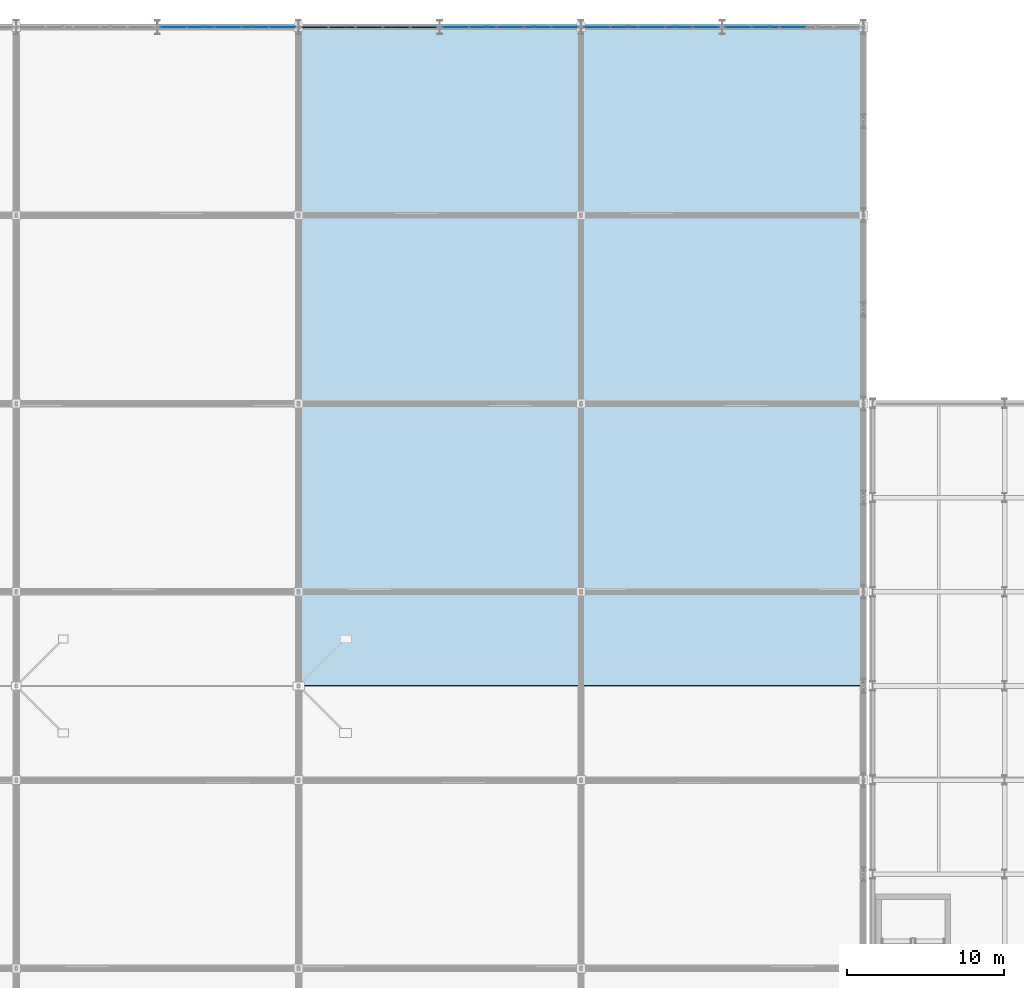
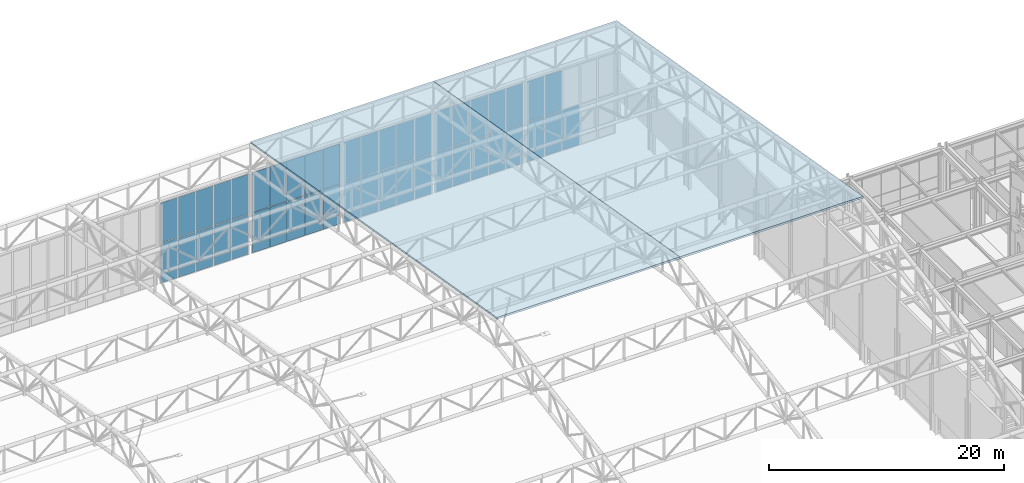
# One storey, part 189 of 239: 68 plates, 2 slabs, 6 elements without a shape of their own.
"""IFC4 building model written with IfcOpenShell, lengths in metres."""

from ifc_helpers import new_model, si_unit, direction, frame, origin, origin_2d, place, context, subcontext, project, spatial, polyline, rectangle, outline, extrude, material, layer, layer_set, type_object, element, aggregate, save


model = new_model("IFC4")

# Units and contexts
model_context = context("Model", 3, precision=1e-05, world=origin(), true_north=direction((0.0, 1.0)))
body_context = subcontext(model_context, "Body", "Model", "MODEL_VIEW")
ifc_project = project(units=[si_unit("LENGTHUNIT", "METRE"), si_unit("AREAUNIT", "SQUARE_METRE"), si_unit("VOLUMEUNIT", "CUBIC_METRE"), si_unit("PLANEANGLEUNIT", "RADIAN"), si_unit("MASSUNIT", "GRAM", prefix="KILO")], contexts=[model_context])

# Site, building, storey
site_placement = place(None, origin())
site = spatial("IfcSite", under=ifc_project, at=site_placement, CompositionType="ELEMENT")
building_placement = place(site_placement, origin())
building = spatial("IfcBuilding", under=site, at=building_placement, Name="Kaldris Quays Convention Centre", CompositionType="ELEMENT")
storey_placement = place(building_placement, frame((0.0, 0.0, 11.39990234375)))
storey = spatial("IfcBuildingStorey", under=building, at=storey_placement, Name="L02", CompositionType="ELEMENT", Elevation=11.39990234375)

# Curtain wall, plates
ifc_material_1 = material(Name="Anodized aluminium AW-6060 and triple glazing", Category="aluminium")
curtain_wall_type = type_object("IfcCurtainWallType", Name="UNITISED CURTAIN WALL CW03", PredefinedType="NOTDEFINED", material=ifc_material_1)
curtain_wall_1_placement = place(storey_placement, origin())
curtain_wall_1 = element("IfcCurtainWall", 1, at=curtain_wall_1_placement, inside=storey, type_object=curtain_wall_type, Name="L02 Unitised Curtain Wall CW03 250", PredefinedType="NOTDEFINED")
ifc_material_2 = material(Name="Triple low-E insulated glazing", Category="glass")
plate_type_1 = type_object("IfcPlateType", Name="CURTAIN GLAZING PANEL CWP2", PredefinedType="CURTAIN_PANEL", material=ifc_material_2)
plate_1_placement = place(storey_placement, frame((120.027099609375, 140.0, -1.544921875), z_axis=(0.0, 0.0, 1.0), x_axis=(1.0, 0.0, 0.0)))
plate_1 = element("IfcPlate", 2, at=plate_1_placement, type_object=plate_type_1, Name="CW03 panel 1.1", PredefinedType="CURTAIN_PANEL", context=body_context, shape_type="SweptSolid", body=[
    extrude(rectangle(XDim=1.654052734375, YDim=0.033935546875, at=origin_2d()), origin(), (0.0, 0.0, 1.0), 0.9599609375),
])
plate_2_placement = place(storey_placement, frame((120.027099609375, 140.0, -0.52490234375), z_axis=(0.0, 0.0, 1.0), x_axis=(1.0, 0.0, 0.0)))
plate_2 = element("IfcPlate", 3, at=plate_2_placement, type_object=plate_type_1, Name="CW03 panel 1.2", PredefinedType="CURTAIN_PANEL", context=body_context, shape_type="SweptSolid", body=[
    extrude(rectangle(XDim=1.654052734375, YDim=0.033935546875, at=origin_2d()), origin(), (0.0, 0.0, 1.0), 3.117919921875),
])
plate_3_placement = place(storey_placement, frame((120.027099609375, 140.0, 2.6533203125), z_axis=(0.0, 0.0, 1.0), x_axis=(1.0, 0.0, 0.0)))
plate_3 = element("IfcPlate", 4, at=plate_3_placement, type_object=plate_type_1, Name="CW03 panel 1.3", PredefinedType="CURTAIN_PANEL", context=body_context, shape_type="SweptSolid", body=[
    extrude(rectangle(XDim=1.654052734375, YDim=0.033935546875, at=origin_2d()), origin(), (0.0, 0.0, 1.0), 4.136962890625),
])
plate_4_placement = place(storey_placement, frame((121.756103515625, 140.0, -1.544921875), z_axis=(0.0, 0.0, 1.0), x_axis=(1.0, 0.0, 0.0)))
plate_4 = element("IfcPlate", 5, at=plate_4_placement, type_object=plate_type_1, Name="CW03 panel 2.1", PredefinedType="CURTAIN_PANEL", context=body_context, shape_type="SweptSolid", body=[
    extrude(rectangle(XDim=1.68408203125, YDim=0.033935546875, at=origin_2d()), origin(), (0.0, 0.0, 1.0), 0.9599609375),
])
plate_5_placement = place(storey_placement, frame((121.756103515625, 140.0, -0.52490234375), z_axis=(0.0, 0.0, 1.0), x_axis=(1.0, 0.0, 0.0)))
plate_5 = element("IfcPlate", 6, at=plate_5_placement, type_object=plate_type_1, Name="CW03 panel 2.2", PredefinedType="CURTAIN_PANEL", context=body_context, shape_type="SweptSolid", body=[
    extrude(rectangle(XDim=1.68408203125, YDim=0.033935546875, at=origin_2d()), origin(), (0.0, 0.0, 1.0), 3.117919921875),
])
plate_6_placement = place(storey_placement, frame((121.756103515625, 140.0, 2.6533203125), z_axis=(0.0, 0.0, 1.0), x_axis=(1.0, 0.0, 0.0)))
plate_6 = element("IfcPlate", 7, at=plate_6_placement, type_object=plate_type_1, Name="CW03 panel 2.3", PredefinedType="CURTAIN_PANEL", context=body_context, shape_type="SweptSolid", body=[
    extrude(rectangle(XDim=1.68408203125, YDim=0.033935546875, at=origin_2d()), origin(), (0.0, 0.0, 1.0), 4.136962890625),
])
plate_7_placement = place(storey_placement, frame((123.5, 140.0, -1.544921875), z_axis=(0.0, 0.0, 1.0), x_axis=(1.0, 0.0, 0.0)))
plate_7 = element("IfcPlate", 8, at=plate_7_placement, type_object=plate_type_1, Name="CW03 panel 3.1", PredefinedType="CURTAIN_PANEL", context=body_context, shape_type="SweptSolid", body=[
    extrude(rectangle(XDim=1.68408203125, YDim=0.033935546875, at=origin_2d()), origin(), (0.0, 0.0, 1.0), 0.9599609375),
])
plate_8_placement = place(storey_placement, frame((123.5, 140.0, -0.52490234375), z_axis=(0.0, 0.0, 1.0), x_axis=(1.0, 0.0, 0.0)))
plate_8 = element("IfcPlate", 9, at=plate_8_placement, type_object=plate_type_1, Name="CW03 panel 3.2", PredefinedType="CURTAIN_PANEL", context=body_context, shape_type="SweptSolid", body=[
    extrude(rectangle(XDim=1.68408203125, YDim=0.033935546875, at=origin_2d()), origin(), (0.0, 0.0, 1.0), 3.117919921875),
])
plate_9_placement = place(storey_placement, frame((123.5, 140.0, 2.6533203125), z_axis=(0.0, 0.0, 1.0), x_axis=(1.0, 0.0, 0.0)))
plate_9 = element("IfcPlate", 10, at=plate_9_placement, type_object=plate_type_1, Name="CW03 panel 3.3", PredefinedType="CURTAIN_PANEL", context=body_context, shape_type="SweptSolid", body=[
    extrude(rectangle(XDim=1.68408203125, YDim=0.033935546875, at=origin_2d()), origin(), (0.0, 0.0, 1.0), 4.136962890625),
])
plate_10_placement = place(storey_placement, frame((125.243896484375, 140.0, -1.544921875), z_axis=(0.0, 0.0, 1.0), x_axis=(1.0, 0.0, 0.0)))
plate_10 = element("IfcPlate", 11, at=plate_10_placement, type_object=plate_type_1, Name="CW03 panel 4.1", PredefinedType="CURTAIN_PANEL", context=body_context, shape_type="SweptSolid", body=[
    extrude(rectangle(XDim=1.68408203125, YDim=0.033935546875, at=origin_2d()), origin(), (0.0, 0.0, 1.0), 0.9599609375),
])
plate_11_placement = place(storey_placement, frame((125.243896484375, 140.0, -0.52490234375), z_axis=(0.0, 0.0, 1.0), x_axis=(1.0, 0.0, 0.0)))
plate_11 = element("IfcPlate", 12, at=plate_11_placement, type_object=plate_type_1, Name="CW03 panel 4.2", PredefinedType="CURTAIN_PANEL", context=body_context, shape_type="SweptSolid", body=[
    extrude(rectangle(XDim=1.68408203125, YDim=0.033935546875, at=origin_2d()), origin(), (0.0, 0.0, 1.0), 3.117919921875),
])
plate_12_placement = place(storey_placement, frame((125.243896484375, 140.0, 2.6533203125), z_axis=(0.0, 0.0, 1.0), x_axis=(1.0, 0.0, 0.0)))
plate_12 = element("IfcPlate", 13, at=plate_12_placement, type_object=plate_type_1, Name="CW03 panel 4.3", PredefinedType="CURTAIN_PANEL", context=body_context, shape_type="SweptSolid", body=[
    extrude(rectangle(XDim=1.68408203125, YDim=0.033935546875, at=origin_2d()), origin(), (0.0, 0.0, 1.0), 4.136962890625),
])
plate_13_placement = place(storey_placement, frame((126.972900390625, 140.0, -1.544921875), z_axis=(0.0, 0.0, 1.0), x_axis=(1.0, 0.0, 0.0)))
plate_13 = element("IfcPlate", 14, at=plate_13_placement, type_object=plate_type_1, Name="CW03 panel 5.1", PredefinedType="CURTAIN_PANEL", context=body_context, shape_type="SweptSolid", body=[
    extrude(rectangle(XDim=1.654052734375, YDim=0.033935546875, at=origin_2d()), origin(), (0.0, 0.0, 1.0), 0.9599609375),
])
plate_14_placement = place(storey_placement, frame((126.972900390625, 140.0, -0.52490234375), z_axis=(0.0, 0.0, 1.0), x_axis=(1.0, 0.0, 0.0)))
plate_14 = element("IfcPlate", 15, at=plate_14_placement, type_object=plate_type_1, Name="CW03 panel 5.2", PredefinedType="CURTAIN_PANEL", context=body_context, shape_type="SweptSolid", body=[
    extrude(rectangle(XDim=1.654052734375, YDim=0.033935546875, at=origin_2d()), origin(), (0.0, 0.0, 1.0), 3.117919921875),
])
plate_15_placement = place(storey_placement, frame((126.972900390625, 140.0, 2.6533203125), z_axis=(0.0, 0.0, 1.0), x_axis=(1.0, 0.0, 0.0)))
plate_15 = element("IfcPlate", 16, at=plate_15_placement, type_object=plate_type_1, Name="CW03 panel 5.3", PredefinedType="CURTAIN_PANEL", context=body_context, shape_type="SweptSolid", body=[
    extrude(rectangle(XDim=1.654052734375, YDim=0.033935546875, at=origin_2d()), origin(), (0.0, 0.0, 1.0), 4.136962890625),
])
aggregate(curtain_wall_1, [plate_1, plate_2, plate_3, plate_4, plate_5, plate_6, plate_7, plate_8, plate_9, plate_10, plate_11, plate_12, plate_13, plate_14, plate_15])

curtain_wall_2_placement = place(storey_placement, origin())
curtain_wall_2 = element("IfcCurtainWall", 17, at=curtain_wall_2_placement, inside=storey, type_object=curtain_wall_type, Name="L02 Unitised Curtain Wall CW03 252", PredefinedType="NOTDEFINED")
plate_type_2 = type_object("IfcPlateType", Name="CURTAIN GLAZING PANEL CWP4", PredefinedType="CURTAIN_PANEL", material=ifc_material_2)
plate_16_placement = place(storey_placement, frame((129.027099609375, 140.0, -1.544921875), z_axis=(0.0, 0.0, 1.0), x_axis=(1.0, 0.0, 0.0)))
plate_16 = element("IfcPlate", 18, at=plate_16_placement, type_object=plate_type_2, Name="CW03 panel 1.1", PredefinedType="CURTAIN_PANEL", context=body_context, shape_type="SweptSolid", body=[
    extrude(rectangle(XDim=1.654052734375, YDim=0.0439453125, at=origin_2d()), origin(), (0.0, 0.0, 1.0), 0.9599609375),
])
plate_17_placement = place(storey_placement, frame((129.027099609375, 140.0, -0.52490234375), z_axis=(0.0, 0.0, 1.0), x_axis=(1.0, 0.0, 0.0)))
plate_17 = element("IfcPlate", 19, at=plate_17_placement, type_object=plate_type_2, Name="CW03 panel 1.2", PredefinedType="CURTAIN_PANEL", context=body_context, shape_type="SweptSolid", body=[
    extrude(rectangle(XDim=1.654052734375, YDim=0.0439453125, at=origin_2d()), origin(), (0.0, 0.0, 1.0), 3.117919921875),
])
plate_18_placement = place(storey_placement, frame((129.027099609375, 140.0, 2.6533203125), z_axis=(0.0, 0.0, 1.0), x_axis=(1.0, 0.0, 0.0)))
plate_18 = element("IfcPlate", 20, at=plate_18_placement, type_object=plate_type_2, Name="CW03 panel 1.3", PredefinedType="CURTAIN_PANEL", context=body_context, shape_type="SweptSolid", body=[
    extrude(rectangle(XDim=1.654052734375, YDim=0.0439453125, at=origin_2d()), origin(), (0.0, 0.0, 1.0), 4.136962890625),
])
plate_19_placement = place(storey_placement, frame((130.756103515625, 140.0, -1.544921875), z_axis=(0.0, 0.0, 1.0), x_axis=(1.0, 0.0, 0.0)))
plate_19 = element("IfcPlate", 21, at=plate_19_placement, type_object=plate_type_2, Name="CW03 panel 2.1", PredefinedType="CURTAIN_PANEL", context=body_context, shape_type="SweptSolid", body=[
    extrude(rectangle(XDim=1.68408203125, YDim=0.0439453125, at=origin_2d()), origin(), (0.0, 0.0, 1.0), 0.9599609375),
])
plate_20_placement = place(storey_placement, frame((130.756103515625, 140.0, -0.52490234375), z_axis=(0.0, 0.0, 1.0), x_axis=(1.0, 0.0, 0.0)))
plate_20 = element("IfcPlate", 22, at=plate_20_placement, type_object=plate_type_2, Name="CW03 panel 2.2", PredefinedType="CURTAIN_PANEL", context=body_context, shape_type="SweptSolid", body=[
    extrude(rectangle(XDim=1.68408203125, YDim=0.0439453125, at=origin_2d()), origin(), (0.0, 0.0, 1.0), 3.117919921875),
])
plate_21_placement = place(storey_placement, frame((130.756103515625, 140.0, 2.6533203125), z_axis=(0.0, 0.0, 1.0), x_axis=(1.0, 0.0, 0.0)))
plate_21 = element("IfcPlate", 23, at=plate_21_placement, type_object=plate_type_2, Name="CW03 panel 2.3", PredefinedType="CURTAIN_PANEL", context=body_context, shape_type="SweptSolid", body=[
    extrude(rectangle(XDim=1.68408203125, YDim=0.0439453125, at=origin_2d()), origin(), (0.0, 0.0, 1.0), 4.136962890625),
])
plate_22_placement = place(storey_placement, frame((132.5, 140.0, -1.544921875), z_axis=(0.0, 0.0, 1.0), x_axis=(1.0, 0.0, 0.0)))
plate_22 = element("IfcPlate", 24, at=plate_22_placement, type_object=plate_type_2, Name="CW03 panel 3.1", PredefinedType="CURTAIN_PANEL", context=body_context, shape_type="SweptSolid", body=[
    extrude(rectangle(XDim=1.68408203125, YDim=0.0439453125, at=origin_2d()), origin(), (0.0, 0.0, 1.0), 0.9599609375),
])
plate_23_placement = place(storey_placement, frame((132.5, 140.0, -0.52490234375), z_axis=(0.0, 0.0, 1.0), x_axis=(1.0, 0.0, 0.0)))
plate_23 = element("IfcPlate", 25, at=plate_23_placement, type_object=plate_type_2, Name="CW03 panel 3.2", PredefinedType="CURTAIN_PANEL", context=body_context, shape_type="SweptSolid", body=[
    extrude(rectangle(XDim=1.68408203125, YDim=0.0439453125, at=origin_2d()), origin(), (0.0, 0.0, 1.0), 3.117919921875),
])
plate_24_placement = place(storey_placement, frame((132.5, 140.0, 2.6533203125), z_axis=(0.0, 0.0, 1.0), x_axis=(1.0, 0.0, 0.0)))
plate_24 = element("IfcPlate", 26, at=plate_24_placement, type_object=plate_type_2, Name="CW03 panel 3.3", PredefinedType="CURTAIN_PANEL", context=body_context, shape_type="SweptSolid", body=[
    extrude(rectangle(XDim=1.68408203125, YDim=0.0439453125, at=origin_2d()), origin(), (0.0, 0.0, 1.0), 4.136962890625),
])
plate_25_placement = place(storey_placement, frame((134.243896484375, 140.0, -1.544921875), z_axis=(0.0, 0.0, 1.0), x_axis=(1.0, 0.0, 0.0)))
plate_25 = element("IfcPlate", 27, at=plate_25_placement, type_object=plate_type_2, Name="CW03 panel 4.1", PredefinedType="CURTAIN_PANEL", context=body_context, shape_type="SweptSolid", body=[
    extrude(rectangle(XDim=1.68408203125, YDim=0.0439453125, at=origin_2d()), origin(), (0.0, 0.0, 1.0), 0.9599609375),
])
plate_26_placement = place(storey_placement, frame((134.243896484375, 140.0, -0.52490234375), z_axis=(0.0, 0.0, 1.0), x_axis=(1.0, 0.0, 0.0)))
plate_26 = element("IfcPlate", 28, at=plate_26_placement, type_object=plate_type_2, Name="CW03 panel 4.2", PredefinedType="CURTAIN_PANEL", context=body_context, shape_type="SweptSolid", body=[
    extrude(rectangle(XDim=1.68408203125, YDim=0.0439453125, at=origin_2d()), origin(), (0.0, 0.0, 1.0), 3.117919921875),
])
plate_27_placement = place(storey_placement, frame((134.243896484375, 140.0, 2.6533203125), z_axis=(0.0, 0.0, 1.0), x_axis=(1.0, 0.0, 0.0)))
plate_27 = element("IfcPlate", 29, at=plate_27_placement, type_object=plate_type_2, Name="CW03 panel 4.3", PredefinedType="CURTAIN_PANEL", context=body_context, shape_type="SweptSolid", body=[
    extrude(rectangle(XDim=1.68408203125, YDim=0.0439453125, at=origin_2d()), origin(), (0.0, 0.0, 1.0), 4.136962890625),
])
plate_28_placement = place(storey_placement, frame((135.972900390625, 140.0, -1.544921875), z_axis=(0.0, 0.0, 1.0), x_axis=(1.0, 0.0, 0.0)))
plate_28 = element("IfcPlate", 30, at=plate_28_placement, type_object=plate_type_2, Name="CW03 panel 5.1", PredefinedType="CURTAIN_PANEL", context=body_context, shape_type="SweptSolid", body=[
    extrude(rectangle(XDim=1.654052734375, YDim=0.0439453125, at=origin_2d()), origin(), (0.0, 0.0, 1.0), 0.9599609375),
])
plate_29_placement = place(storey_placement, frame((135.972900390625, 140.0, -0.52490234375), z_axis=(0.0, 0.0, 1.0), x_axis=(1.0, 0.0, 0.0)))
plate_29 = element("IfcPlate", 31, at=plate_29_placement, type_object=plate_type_2, Name="CW03 panel 5.2", PredefinedType="CURTAIN_PANEL", context=body_context, shape_type="SweptSolid", body=[
    extrude(rectangle(XDim=1.654052734375, YDim=0.0439453125, at=origin_2d()), origin(), (0.0, 0.0, 1.0), 3.117919921875),
])
plate_30_placement = place(storey_placement, frame((135.972900390625, 140.0, 2.6533203125), z_axis=(0.0, 0.0, 1.0), x_axis=(1.0, 0.0, 0.0)))
plate_30 = element("IfcPlate", 32, at=plate_30_placement, type_object=plate_type_2, Name="CW03 panel 5.3", PredefinedType="CURTAIN_PANEL", context=body_context, shape_type="SweptSolid", body=[
    extrude(rectangle(XDim=1.654052734375, YDim=0.0439453125, at=origin_2d()), origin(), (0.0, 0.0, 1.0), 4.136962890625),
])
aggregate(curtain_wall_2, [plate_16, plate_17, plate_18, plate_19, plate_20, plate_21, plate_22, plate_23, plate_24, plate_25, plate_26, plate_27, plate_28, plate_29, plate_30])

curtain_wall_3_placement = place(storey_placement, origin())
curtain_wall_3 = element("IfcCurtainWall", 33, at=curtain_wall_3_placement, inside=storey, type_object=curtain_wall_type, Name="L02 Unitised Curtain Wall CW03 246", PredefinedType="NOTDEFINED")
plate_type_3 = type_object("IfcPlateType", Name="CURTAIN GLAZING PANEL CWP6", PredefinedType="CURTAIN_PANEL", material=ifc_material_2)
plate_31_placement = place(storey_placement, frame((102.027099609375, 140.0, -1.544921875), z_axis=(0.0, 0.0, 1.0), x_axis=(1.0, 0.0, 0.0)))
plate_31 = element("IfcPlate", 34, at=plate_31_placement, type_object=plate_type_3, Name="CW03 panel 1.1", PredefinedType="CURTAIN_PANEL", context=body_context, shape_type="SweptSolid", body=[
    extrude(rectangle(XDim=1.654052734375, YDim=0.053955078125, at=origin_2d()), origin(), (0.0, 0.0, 1.0), 0.9599609375),
])
plate_32_placement = place(storey_placement, frame((102.027099609375, 140.0, -0.52490234375), z_axis=(0.0, 0.0, 1.0), x_axis=(1.0, 0.0, 0.0)))
plate_32 = element("IfcPlate", 35, at=plate_32_placement, type_object=plate_type_3, Name="CW03 panel 1.2", PredefinedType="CURTAIN_PANEL", context=body_context, shape_type="SweptSolid", body=[
    extrude(rectangle(XDim=1.654052734375, YDim=0.053955078125, at=origin_2d()), origin(), (0.0, 0.0, 1.0), 3.117919921875),
])
plate_33_placement = place(storey_placement, frame((102.027099609375, 140.0, 2.6533203125), z_axis=(0.0, 0.0, 1.0), x_axis=(1.0, 0.0, 0.0)))
plate_33 = element("IfcPlate", 36, at=plate_33_placement, type_object=plate_type_3, Name="CW03 panel 1.3", PredefinedType="CURTAIN_PANEL", context=body_context, shape_type="SweptSolid", body=[
    extrude(rectangle(XDim=1.654052734375, YDim=0.053955078125, at=origin_2d()), origin(), (0.0, 0.0, 1.0), 4.136962890625),
])
plate_34_placement = place(storey_placement, frame((103.756103515625, 140.0, -1.544921875), z_axis=(0.0, 0.0, 1.0), x_axis=(1.0, 0.0, 0.0)))
plate_34 = element("IfcPlate", 37, at=plate_34_placement, type_object=plate_type_3, Name="CW03 panel 2.1", PredefinedType="CURTAIN_PANEL", context=body_context, shape_type="SweptSolid", body=[
    extrude(rectangle(XDim=1.68408203125, YDim=0.053955078125, at=origin_2d()), origin(), (0.0, 0.0, 1.0), 0.9599609375),
])
plate_35_placement = place(storey_placement, frame((103.756103515625, 140.0, -0.52490234375), z_axis=(0.0, 0.0, 1.0), x_axis=(1.0, 0.0, 0.0)))
plate_35 = element("IfcPlate", 38, at=plate_35_placement, type_object=plate_type_3, Name="CW03 panel 2.2", PredefinedType="CURTAIN_PANEL", context=body_context, shape_type="SweptSolid", body=[
    extrude(rectangle(XDim=1.68408203125, YDim=0.053955078125, at=origin_2d()), origin(), (0.0, 0.0, 1.0), 3.117919921875),
])
plate_36_placement = place(storey_placement, frame((103.756103515625, 140.0, 2.6533203125), z_axis=(0.0, 0.0, 1.0), x_axis=(1.0, 0.0, 0.0)))
plate_36 = element("IfcPlate", 39, at=plate_36_placement, type_object=plate_type_3, Name="CW03 panel 2.3", PredefinedType="CURTAIN_PANEL", context=body_context, shape_type="SweptSolid", body=[
    extrude(rectangle(XDim=1.68408203125, YDim=0.053955078125, at=origin_2d()), origin(), (0.0, 0.0, 1.0), 4.136962890625),
])
plate_37_placement = place(storey_placement, frame((105.5, 140.0, -1.544921875), z_axis=(0.0, 0.0, 1.0), x_axis=(1.0, 0.0, 0.0)))
plate_37 = element("IfcPlate", 40, at=plate_37_placement, type_object=plate_type_3, Name="CW03 panel 3.1", PredefinedType="CURTAIN_PANEL", context=body_context, shape_type="SweptSolid", body=[
    extrude(rectangle(XDim=1.68408203125, YDim=0.053955078125, at=origin_2d()), origin(), (0.0, 0.0, 1.0), 0.9599609375),
])
plate_38_placement = place(storey_placement, frame((105.5, 140.0, -0.52490234375), z_axis=(0.0, 0.0, 1.0), x_axis=(1.0, 0.0, 0.0)))
plate_38 = element("IfcPlate", 41, at=plate_38_placement, type_object=plate_type_3, Name="CW03 panel 3.2", PredefinedType="CURTAIN_PANEL", context=body_context, shape_type="SweptSolid", body=[
    extrude(rectangle(XDim=1.68408203125, YDim=0.053955078125, at=origin_2d()), origin(), (0.0, 0.0, 1.0), 3.117919921875),
])
plate_39_placement = place(storey_placement, frame((105.5, 140.0, 2.6533203125), z_axis=(0.0, 0.0, 1.0), x_axis=(1.0, 0.0, 0.0)))
plate_39 = element("IfcPlate", 42, at=plate_39_placement, type_object=plate_type_3, Name="CW03 panel 3.3", PredefinedType="CURTAIN_PANEL", context=body_context, shape_type="SweptSolid", body=[
    extrude(rectangle(XDim=1.68408203125, YDim=0.053955078125, at=origin_2d()), origin(), (0.0, 0.0, 1.0), 4.136962890625),
])
plate_40_placement = place(storey_placement, frame((107.243896484375, 140.0, -1.544921875), z_axis=(0.0, 0.0, 1.0), x_axis=(1.0, 0.0, 0.0)))
plate_40 = element("IfcPlate", 43, at=plate_40_placement, type_object=plate_type_3, Name="CW03 panel 4.1", PredefinedType="CURTAIN_PANEL", context=body_context, shape_type="SweptSolid", body=[
    extrude(rectangle(XDim=1.68408203125, YDim=0.053955078125, at=origin_2d()), origin(), (0.0, 0.0, 1.0), 0.9599609375),
])
plate_41_placement = place(storey_placement, frame((107.243896484375, 140.0, -0.52490234375), z_axis=(0.0, 0.0, 1.0), x_axis=(1.0, 0.0, 0.0)))
plate_41 = element("IfcPlate", 44, at=plate_41_placement, type_object=plate_type_3, Name="CW03 panel 4.2", PredefinedType="CURTAIN_PANEL", context=body_context, shape_type="SweptSolid", body=[
    extrude(rectangle(XDim=1.68408203125, YDim=0.053955078125, at=origin_2d()), origin(), (0.0, 0.0, 1.0), 3.117919921875),
])
plate_42_placement = place(storey_placement, frame((107.243896484375, 140.0, 2.6533203125), z_axis=(0.0, 0.0, 1.0), x_axis=(1.0, 0.0, 0.0)))
plate_42 = element("IfcPlate", 45, at=plate_42_placement, type_object=plate_type_3, Name="CW03 panel 4.3", PredefinedType="CURTAIN_PANEL", context=body_context, shape_type="SweptSolid", body=[
    extrude(rectangle(XDim=1.68408203125, YDim=0.053955078125, at=origin_2d()), origin(), (0.0, 0.0, 1.0), 4.136962890625),
])
plate_43_placement = place(storey_placement, frame((108.972900390625, 140.0, -1.544921875), z_axis=(0.0, 0.0, 1.0), x_axis=(1.0, 0.0, 0.0)))
plate_43 = element("IfcPlate", 46, at=plate_43_placement, type_object=plate_type_3, Name="CW03 panel 5.1", PredefinedType="CURTAIN_PANEL", context=body_context, shape_type="SweptSolid", body=[
    extrude(rectangle(XDim=1.654052734375, YDim=0.053955078125, at=origin_2d()), origin(), (0.0, 0.0, 1.0), 0.9599609375),
])
plate_44_placement = place(storey_placement, frame((108.972900390625, 140.0, -0.52490234375), z_axis=(0.0, 0.0, 1.0), x_axis=(1.0, 0.0, 0.0)))
plate_44 = element("IfcPlate", 47, at=plate_44_placement, type_object=plate_type_3, Name="CW03 panel 5.2", PredefinedType="CURTAIN_PANEL", context=body_context, shape_type="SweptSolid", body=[
    extrude(rectangle(XDim=1.654052734375, YDim=0.053955078125, at=origin_2d()), origin(), (0.0, 0.0, 1.0), 3.117919921875),
])
plate_45_placement = place(storey_placement, frame((108.972900390625, 140.0, 2.6533203125), z_axis=(0.0, 0.0, 1.0), x_axis=(1.0, 0.0, 0.0)))
plate_45 = element("IfcPlate", 48, at=plate_45_placement, type_object=plate_type_3, Name="CW03 panel 5.3", PredefinedType="CURTAIN_PANEL", context=body_context, shape_type="SweptSolid", body=[
    extrude(rectangle(XDim=1.654052734375, YDim=0.053955078125, at=origin_2d()), origin(), (0.0, 0.0, 1.0), 4.136962890625),
])
aggregate(curtain_wall_3, [plate_31, plate_32, plate_33, plate_34, plate_35, plate_36, plate_37, plate_38, plate_39, plate_40, plate_41, plate_42, plate_43, plate_44, plate_45])

curtain_wall_4_placement = place(storey_placement, origin())
curtain_wall_4 = element("IfcCurtainWall", 49, at=curtain_wall_4_placement, inside=storey, type_object=curtain_wall_type, Name="L02 Unitised Curtain Wall CW03 254", PredefinedType="NOTDEFINED")
plate_46_placement = place(storey_placement, frame((138.027099609375, 140.0, -1.544921875), z_axis=(0.0, 0.0, 1.0), x_axis=(1.0, 0.0, 0.0)))
plate_46 = element("IfcPlate", 50, at=plate_46_placement, type_object=plate_type_3, Name="CW03 panel 1.1", PredefinedType="CURTAIN_PANEL", context=body_context, shape_type="SweptSolid", body=[
    extrude(rectangle(XDim=1.654052734375, YDim=0.053955078125, at=origin_2d()), origin(), (0.0, 0.0, 1.0), 0.9599609375),
])
plate_47_placement = place(storey_placement, frame((138.027099609375, 140.0, -0.52490234375), z_axis=(0.0, 0.0, 1.0), x_axis=(1.0, 0.0, 0.0)))
plate_47 = element("IfcPlate", 51, at=plate_47_placement, type_object=plate_type_3, Name="CW03 panel 1.2", PredefinedType="CURTAIN_PANEL", context=body_context, shape_type="SweptSolid", body=[
    extrude(rectangle(XDim=1.654052734375, YDim=0.053955078125, at=origin_2d()), origin(), (0.0, 0.0, 1.0), 3.117919921875),
])
plate_48_placement = place(storey_placement, frame((138.027099609375, 140.0, 2.6533203125), z_axis=(0.0, 0.0, 1.0), x_axis=(1.0, 0.0, 0.0)))
plate_48 = element("IfcPlate", 52, at=plate_48_placement, type_object=plate_type_3, Name="CW03 panel 1.3", PredefinedType="CURTAIN_PANEL", context=body_context, shape_type="SweptSolid", body=[
    extrude(rectangle(XDim=1.654052734375, YDim=0.053955078125, at=origin_2d()), origin(), (0.0, 0.0, 1.0), 4.136962890625),
])
plate_49_placement = place(storey_placement, frame((139.756103515625, 140.0, -1.544921875), z_axis=(0.0, 0.0, 1.0), x_axis=(1.0, 0.0, 0.0)))
plate_49 = element("IfcPlate", 53, at=plate_49_placement, type_object=plate_type_3, Name="CW03 panel 2.1", PredefinedType="CURTAIN_PANEL", context=body_context, shape_type="SweptSolid", body=[
    extrude(rectangle(XDim=1.68408203125, YDim=0.053955078125, at=origin_2d()), origin(), (0.0, 0.0, 1.0), 0.9599609375),
])
plate_50_placement = place(storey_placement, frame((139.756103515625, 140.0, -0.52490234375), z_axis=(0.0, 0.0, 1.0), x_axis=(1.0, 0.0, 0.0)))
plate_50 = element("IfcPlate", 54, at=plate_50_placement, type_object=plate_type_3, Name="CW03 panel 2.2", PredefinedType="CURTAIN_PANEL", context=body_context, shape_type="SweptSolid", body=[
    extrude(rectangle(XDim=1.68408203125, YDim=0.053955078125, at=origin_2d()), origin(), (0.0, 0.0, 1.0), 3.117919921875),
])
plate_51_placement = place(storey_placement, frame((139.756103515625, 140.0, 2.6533203125), z_axis=(0.0, 0.0, 1.0), x_axis=(1.0, 0.0, 0.0)))
plate_51 = element("IfcPlate", 55, at=plate_51_placement, type_object=plate_type_3, Name="CW03 panel 2.3", PredefinedType="CURTAIN_PANEL", context=body_context, shape_type="SweptSolid", body=[
    extrude(rectangle(XDim=1.68408203125, YDim=0.053955078125, at=origin_2d()), origin(), (0.0, 0.0, 1.0), 4.136962890625),
])
plate_52_placement = place(storey_placement, frame((141.5, 140.0, -1.544921875), z_axis=(0.0, 0.0, 1.0), x_axis=(1.0, 0.0, 0.0)))
plate_52 = element("IfcPlate", 56, at=plate_52_placement, type_object=plate_type_3, Name="CW03 panel 3.1", PredefinedType="CURTAIN_PANEL", context=body_context, shape_type="SweptSolid", body=[
    extrude(rectangle(XDim=1.68408203125, YDim=0.053955078125, at=origin_2d()), origin(), (0.0, 0.0, 1.0), 0.9599609375),
])
plate_53_placement = place(storey_placement, frame((141.5, 140.0, -0.52490234375), z_axis=(0.0, 0.0, 1.0), x_axis=(1.0, 0.0, 0.0)))
plate_53 = element("IfcPlate", 57, at=plate_53_placement, type_object=plate_type_3, Name="CW03 panel 3.2", PredefinedType="CURTAIN_PANEL", context=body_context, shape_type="SweptSolid", body=[
    extrude(rectangle(XDim=1.68408203125, YDim=0.053955078125, at=origin_2d()), origin(), (0.0, 0.0, 1.0), 3.117919921875),
])
aggregate(curtain_wall_4, [plate_46, plate_47, plate_48, plate_49, plate_50, plate_51, plate_52, plate_53])

curtain_wall_5_placement = place(storey_placement, origin())
curtain_wall_5 = element("IfcCurtainWall", 58, at=curtain_wall_5_placement, inside=storey, type_object=curtain_wall_type, Name="L02 Unitised Curtain Wall CW03 248", PredefinedType="NOTDEFINED")
plate_type_4 = type_object("IfcPlateType", Name="CURTAIN GLAZING PANEL CWP8", PredefinedType="CURTAIN_PANEL", material=ifc_material_2)
plate_54_placement = place(storey_placement, frame((111.027099609375, 140.0, -1.544921875), z_axis=(0.0, 0.0, 1.0), x_axis=(1.0, 0.0, 0.0)))
plate_54 = element("IfcPlate", 59, at=plate_54_placement, type_object=plate_type_4, Name="CW03 panel 1.1", PredefinedType="CURTAIN_PANEL", context=body_context, shape_type="SweptSolid", body=[
    extrude(rectangle(XDim=1.654052734375, YDim=0.06396484375, at=origin_2d()), origin(), (0.0, 0.0, 1.0), 0.9599609375),
])
plate_55_placement = place(storey_placement, frame((111.027099609375, 140.0, -0.52490234375), z_axis=(0.0, 0.0, 1.0), x_axis=(1.0, 0.0, 0.0)))
plate_55 = element("IfcPlate", 60, at=plate_55_placement, type_object=plate_type_4, Name="CW03 panel 1.2", PredefinedType="CURTAIN_PANEL", context=body_context, shape_type="SweptSolid", body=[
    extrude(rectangle(XDim=1.654052734375, YDim=0.06396484375, at=origin_2d()), origin(), (0.0, 0.0, 1.0), 3.117919921875),
])
plate_56_placement = place(storey_placement, frame((111.027099609375, 140.0, 2.6533203125), z_axis=(0.0, 0.0, 1.0), x_axis=(1.0, 0.0, 0.0)))
plate_56 = element("IfcPlate", 61, at=plate_56_placement, type_object=plate_type_4, Name="CW03 panel 1.3", PredefinedType="CURTAIN_PANEL", context=body_context, shape_type="SweptSolid", body=[
    extrude(rectangle(XDim=1.654052734375, YDim=0.06396484375, at=origin_2d()), origin(), (0.0, 0.0, 1.0), 4.136962890625),
])
plate_57_placement = place(storey_placement, frame((112.756103515625, 140.0, -1.544921875), z_axis=(0.0, 0.0, 1.0), x_axis=(1.0, 0.0, 0.0)))
plate_57 = element("IfcPlate", 62, at=plate_57_placement, type_object=plate_type_4, Name="CW03 panel 2.1", PredefinedType="CURTAIN_PANEL", context=body_context, shape_type="SweptSolid", body=[
    extrude(rectangle(XDim=1.68408203125, YDim=0.06396484375, at=origin_2d()), origin(), (0.0, 0.0, 1.0), 0.9599609375),
])
plate_58_placement = place(storey_placement, frame((112.756103515625, 140.0, -0.52490234375), z_axis=(0.0, 0.0, 1.0), x_axis=(1.0, 0.0, 0.0)))
plate_58 = element("IfcPlate", 63, at=plate_58_placement, type_object=plate_type_4, Name="CW03 panel 2.2", PredefinedType="CURTAIN_PANEL", context=body_context, shape_type="SweptSolid", body=[
    extrude(rectangle(XDim=1.68408203125, YDim=0.06396484375, at=origin_2d()), origin(), (0.0, 0.0, 1.0), 3.117919921875),
])
plate_59_placement = place(storey_placement, frame((112.756103515625, 140.0, 2.6533203125), z_axis=(0.0, 0.0, 1.0), x_axis=(1.0, 0.0, 0.0)))
plate_59 = element("IfcPlate", 64, at=plate_59_placement, type_object=plate_type_4, Name="CW03 panel 2.3", PredefinedType="CURTAIN_PANEL", context=body_context, shape_type="SweptSolid", body=[
    extrude(rectangle(XDim=1.68408203125, YDim=0.06396484375, at=origin_2d()), origin(), (0.0, 0.0, 1.0), 4.136962890625),
])
plate_60_placement = place(storey_placement, frame((114.5, 140.0, -1.544921875), z_axis=(0.0, 0.0, 1.0), x_axis=(1.0, 0.0, 0.0)))
plate_60 = element("IfcPlate", 65, at=plate_60_placement, type_object=plate_type_4, Name="CW03 panel 3.1", PredefinedType="CURTAIN_PANEL", context=body_context, shape_type="SweptSolid", body=[
    extrude(rectangle(XDim=1.68408203125, YDim=0.06396484375, at=origin_2d()), origin(), (0.0, 0.0, 1.0), 0.9599609375),
])
plate_61_placement = place(storey_placement, frame((114.5, 140.0, -0.52490234375), z_axis=(0.0, 0.0, 1.0), x_axis=(1.0, 0.0, 0.0)))
plate_61 = element("IfcPlate", 66, at=plate_61_placement, type_object=plate_type_4, Name="CW03 panel 3.2", PredefinedType="CURTAIN_PANEL", context=body_context, shape_type="SweptSolid", body=[
    extrude(rectangle(XDim=1.68408203125, YDim=0.06396484375, at=origin_2d()), origin(), (0.0, 0.0, 1.0), 3.117919921875),
])
plate_62_placement = place(storey_placement, frame((114.5, 140.0, 2.6533203125), z_axis=(0.0, 0.0, 1.0), x_axis=(1.0, 0.0, 0.0)))
plate_62 = element("IfcPlate", 67, at=plate_62_placement, type_object=plate_type_4, Name="CW03 panel 3.3", PredefinedType="CURTAIN_PANEL", context=body_context, shape_type="SweptSolid", body=[
    extrude(rectangle(XDim=1.68408203125, YDim=0.06396484375, at=origin_2d()), origin(), (0.0, 0.0, 1.0), 4.136962890625),
])
plate_63_placement = place(storey_placement, frame((116.243896484375, 140.0, -1.544921875), z_axis=(0.0, 0.0, 1.0), x_axis=(1.0, 0.0, 0.0)))
plate_63 = element("IfcPlate", 68, at=plate_63_placement, type_object=plate_type_4, Name="CW03 panel 4.1", PredefinedType="CURTAIN_PANEL", context=body_context, shape_type="SweptSolid", body=[
    extrude(rectangle(XDim=1.68408203125, YDim=0.06396484375, at=origin_2d()), origin(), (0.0, 0.0, 1.0), 0.9599609375),
])
plate_64_placement = place(storey_placement, frame((116.243896484375, 140.0, -0.52490234375), z_axis=(0.0, 0.0, 1.0), x_axis=(1.0, 0.0, 0.0)))
plate_64 = element("IfcPlate", 69, at=plate_64_placement, type_object=plate_type_4, Name="CW03 panel 4.2", PredefinedType="CURTAIN_PANEL", context=body_context, shape_type="SweptSolid", body=[
    extrude(rectangle(XDim=1.68408203125, YDim=0.06396484375, at=origin_2d()), origin(), (0.0, 0.0, 1.0), 3.117919921875),
])
plate_65_placement = place(storey_placement, frame((116.243896484375, 140.0, 2.6533203125), z_axis=(0.0, 0.0, 1.0), x_axis=(1.0, 0.0, 0.0)))
plate_65 = element("IfcPlate", 70, at=plate_65_placement, type_object=plate_type_4, Name="CW03 panel 4.3", PredefinedType="CURTAIN_PANEL", context=body_context, shape_type="SweptSolid", body=[
    extrude(rectangle(XDim=1.68408203125, YDim=0.06396484375, at=origin_2d()), origin(), (0.0, 0.0, 1.0), 4.136962890625),
])
plate_66_placement = place(storey_placement, frame((117.972900390625, 140.0, -1.544921875), z_axis=(0.0, 0.0, 1.0), x_axis=(1.0, 0.0, 0.0)))
plate_66 = element("IfcPlate", 71, at=plate_66_placement, type_object=plate_type_4, Name="CW03 panel 5.1", PredefinedType="CURTAIN_PANEL", context=body_context, shape_type="SweptSolid", body=[
    extrude(rectangle(XDim=1.654052734375, YDim=0.06396484375, at=origin_2d()), origin(), (0.0, 0.0, 1.0), 0.9599609375),
])
plate_67_placement = place(storey_placement, frame((117.972900390625, 140.0, -0.52490234375), z_axis=(0.0, 0.0, 1.0), x_axis=(1.0, 0.0, 0.0)))
plate_67 = element("IfcPlate", 72, at=plate_67_placement, type_object=plate_type_4, Name="CW03 panel 5.2", PredefinedType="CURTAIN_PANEL", context=body_context, shape_type="SweptSolid", body=[
    extrude(rectangle(XDim=1.654052734375, YDim=0.06396484375, at=origin_2d()), origin(), (0.0, 0.0, 1.0), 3.117919921875),
])
plate_68_placement = place(storey_placement, frame((117.972900390625, 140.0, 2.6533203125), z_axis=(0.0, 0.0, 1.0), x_axis=(1.0, 0.0, 0.0)))
plate_68 = element("IfcPlate", 73, at=plate_68_placement, type_object=plate_type_4, Name="CW03 panel 5.3", PredefinedType="CURTAIN_PANEL", context=body_context, shape_type="SweptSolid", body=[
    extrude(rectangle(XDim=1.654052734375, YDim=0.06396484375, at=origin_2d()), origin(), (0.0, 0.0, 1.0), 4.136962890625),
])
aggregate(curtain_wall_5, [plate_54, plate_55, plate_56, plate_57, plate_58, plate_59, plate_60, plate_61, plate_62, plate_63, plate_64, plate_65, plate_66, plate_67, plate_68])

# Roof, slabs
ifc_material_3 = material(Name="Steel S355J2", Category="steel")
ifc_layer_1 = layer(ifc_material_3, 0.175048828125)
ifc_layer_set_1 = layer_set([ifc_layer_1], Name="Steel S355J2")
roof_type = type_object("IfcRoofType", Name="SPACE FRAME GABLE ROOF RF01", PredefinedType="GABLE_ROOF", material=ifc_layer_set_1)
roof_placement = place(storey_placement, origin())
roof = element("IfcRoof", 74, at=roof_placement, inside=storey, type_object=roof_type, Name="Space-Frame Roof ROOF-V1-SF", PredefinedType="GABLE_ROOF")
ifc_layer_2 = layer(ifc_material_3, 0.175048828125)
ifc_layer_set_2 = layer_set([ifc_layer_2], Name="Steel S355J2")
slab_type = type_object("IfcSlabType", Name="STRUCTURAL SLAB RS02", PredefinedType="ROOF", material=ifc_layer_set_2)
slab_1_placement = place(storey_placement, frame((110.0, 98.02490234375, 17.245361328125), z_axis=(0.0, 0.168959837226, 0.985622936728), x_axis=(1.0, 0.0, 0.0)))
slab_1 = element("IfcSlab", 75, at=slab_1_placement, type_object=slab_type, Name="SF-V1 Pitched Roof Deck 2.6", PredefinedType="ROOF", context=body_context, shape_type="SweptSolid", body=[
    extrude(outline(polyline([(0.0, 0.0), (18.0, 0.0), (18.0, 42.587379100153214), (0.0, 42.587379100153214), (0.0, 0.0)])), origin(), (0.0, 0.0, -1.0), 0.175048828125),
])
slab_2_placement = place(storey_placement, frame((128.0, 98.02490234375, 17.245361328125), z_axis=(0.0, 0.168959837226, 0.985622936728), x_axis=(1.0, 0.0, 0.0)))
slab_2 = element("IfcSlab", 76, at=slab_2_placement, type_object=slab_type, Name="SF-V1 Pitched Roof Deck 2.7", PredefinedType="ROOF", context=body_context, shape_type="SweptSolid", body=[
    extrude(outline(polyline([(0.0, 0.0), (18.0, 0.0), (18.0, 42.587379100153214), (0.0, 42.587379100153214), (0.0, 0.0)])), origin(), (0.0, 0.0, -1.0), 0.175048828125),
])
aggregate(roof, [slab_1, slab_2])

save(model, "model.ifc")
